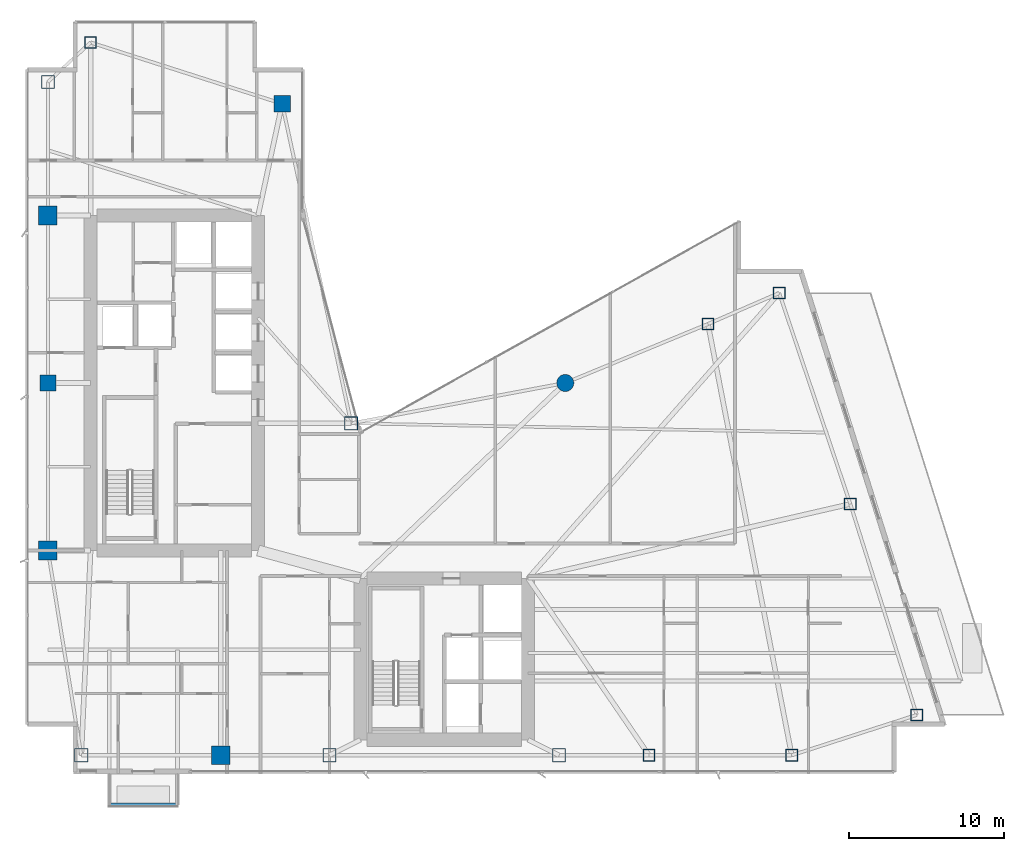
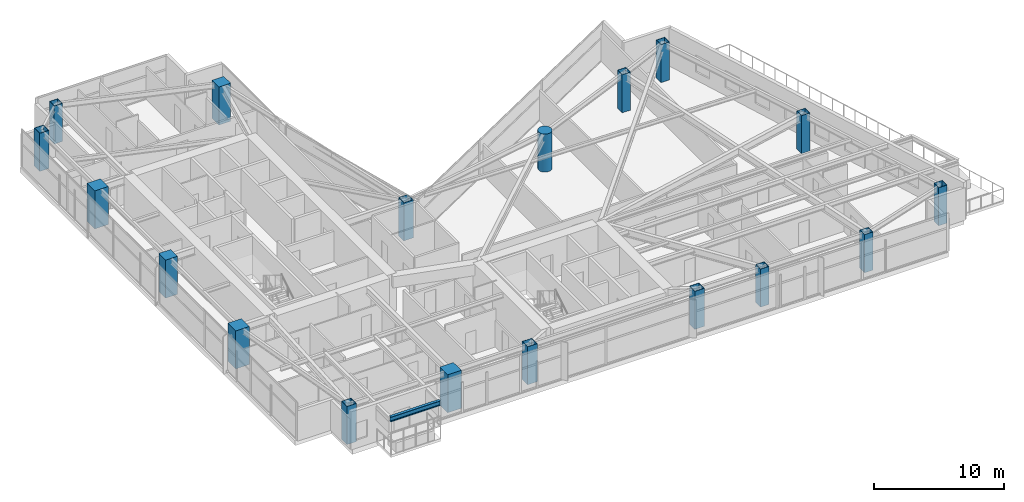
# One storey, part 1 of 28: 18 columns, 1 beam.
"""IFC4 building model written with IfcOpenShell, lengths in metres."""

from ifc_helpers import new_model, si_unit, direction, frame, origin, origin_2d, place, context, subcontext, project, spatial, rectangle, hollow_rectangle, circle, i_section, extrude, material, material_profile, profile_set, type_object, element, save


model = new_model("IFC4")

# Units and contexts
model_context = context("Model", 3, precision=1e-05, world=origin(), true_north=direction((0.0, 1.0)))
body_context = subcontext(model_context, "Body", "Model", "MODEL_VIEW")
ifc_project = project(units=[si_unit("LENGTHUNIT", "METRE"), si_unit("AREAUNIT", "SQUARE_METRE"), si_unit("VOLUMEUNIT", "CUBIC_METRE"), si_unit("PLANEANGLEUNIT", "RADIAN"), si_unit("MASSUNIT", "GRAM", prefix="KILO")], contexts=[model_context])

# Site, building, storey
site_placement = place(None, origin())
site = spatial("IfcSite", under=ifc_project, at=site_placement, CompositionType="ELEMENT")
building_placement = place(site_placement, origin())
building = spatial("IfcBuilding", under=site, at=building_placement, Name="Calvorn Quay Hotel", CompositionType="ELEMENT")
storey_placement = place(building_placement, frame((0.0, 0.0, 97.39990234375)))
storey = spatial("IfcBuildingStorey", under=building, at=storey_placement, Name="L23", CompositionType="ELEMENT", Elevation=97.39990234375)

# Columns
ifc_material_1 = material(Name="Concrete C50", Category="concrete")
ifc_material_profile_1 = material_profile(ifc_material_1, rectangle(XDim=1.050048828125, YDim=1.050048828125, at=origin_2d()), Name="RC1050x1050")
ifc_profile_set_1 = profile_set([ifc_material_profile_1], Name="Concrete C50")
column_type_1 = type_object("IfcColumnType", Name="COL-RC-1050", PredefinedType="COLUMN", material=ifc_profile_set_1)
for number, where, z_axis, x_axis, name in (
    (1, (1.449951171875, 27.60009765625, 0.0), (0.0, 0.0, 1.0), (1.0, 0.0, 0.0), "Column C-W3 (L23)"),
    (2, (16.550048828125, 45.60009765625, 0.0), (0.0, 0.0, 1.0), (1.0, 0.0, 0.0), "Column C-IC1 (L23)"),
):
    element("IfcColumn", number, at=place(storey_placement, frame(where, z_axis=z_axis, x_axis=x_axis)), inside=storey, type_object=column_type_1, Name=name, PredefinedType="COLUMN", context=body_context, shape_type="SweptSolid", body=[
        extrude(rectangle(XDim=1.050048828125, YDim=1.050048828125, at=origin_2d()), origin(), (0.0, 0.0, 1.0), 3.56005859375),
    ])
ifc_material_2 = material(Name="Concrete C50", Category="concrete")
ifc_material_profile_2 = material_profile(ifc_material_2, rectangle(XDim=1.199951171875, YDim=1.199951171875, at=origin_2d()), Name="RC1200x1200")
ifc_profile_set_2 = profile_set([ifc_material_profile_2], Name="Concrete C50")
column_type_2 = type_object("IfcColumnType", Name="COL-RC-1200", PredefinedType="COLUMN", material=ifc_profile_set_2)
for number, where, z_axis, x_axis, name in (
    (3, (1.449951171875, 16.800048828125, 0.0), (0.0, 0.0, 1.0), (1.0, 0.0, 0.0), "Column C-W2 (L23)"),
    (4, (1.449951171875, 38.39990234375, 0.0), (0.0, 0.0, 1.0), (1.0, 0.0, 0.0), "Column C-W4 (L23)"),
    (5, (12.60009765625, 3.60009765625, 0.0), (0.0, 0.0, 1.0), (1.0, 0.0, 0.0), "Column C-S1 (L23)"),
):
    element("IfcColumn", number, at=place(storey_placement, frame(where, z_axis=z_axis, x_axis=x_axis)), inside=storey, type_object=column_type_2, Name=name, PredefinedType="COLUMN", context=body_context, shape_type="SweptSolid", body=[
        extrude(rectangle(XDim=1.199951171875, YDim=1.199951171875, at=origin_2d()), origin(), (0.0, 0.0, 1.0), 3.56005859375),
    ])
ifc_material_3 = material(Name="Concrete C50", Category="concrete")
ifc_material_profile_3 = material_profile(ifc_material_3, circle(Radius=0.550048828125, at=origin_2d()), Name="RCD1100")
ifc_profile_set_3 = profile_set([ifc_material_profile_3], Name="Concrete C50")
column_type_3 = type_object("IfcColumnType", Name="COL-RC-D1100", PredefinedType="COLUMN", material=ifc_profile_set_3)
column_placement = place(storey_placement, frame((34.800048828125, 27.60009765625, 0.0), z_axis=(0.0, 0.0, 1.0), x_axis=(1.0, 0.0, 0.0)))
element("IfcColumn", 6, at=column_placement, inside=storey, type_object=column_type_3, Name="Column C-NC1 (L23)", PredefinedType="COLUMN", context=body_context, shape_type="SweptSolid", body=[
    extrude(circle(Radius=0.550048828125, at=origin_2d()), origin(), (0.0, 0.0, 1.0), 3.56005859375),
])
ifc_material_4 = material(Name="Steel Q390GJC", Category="steel")
ifc_material_profile_4 = material_profile(ifc_material_4, hollow_rectangle(XDim=0.85009765625, YDim=0.85009765625, WallThickness=0.035888671875, at=origin_2d()), Name="BOX850x850x36")
ifc_profile_set_4 = profile_set([ifc_material_profile_4], Name="Steel Q390GJC")
column_type_4 = type_object("IfcColumnType", Name="COL-STL-Z2", PredefinedType="COLUMN", material=ifc_profile_set_4)
for number, where, z_axis, x_axis, name in (
    (7, (3.60009765625, 3.60009765625, 0.0), (0.0, 0.0, 1.0), (1.0, 0.0, 0.0), "Column C-W1 (L23)"),
    (8, (1.449951171875, 47.0, 0.0), (0.0, 0.0, 1.0), (1.0, 0.0, 0.0), "Column C-W5 (L23)"),
    (9, (21.0, 25.0, 0.0), (0.0, 0.0, 1.0), (1.0, 0.0, 0.0), "Column C-IC2 (L23)"),
    (10, (19.60009765625, 3.60009765625, 0.0), (0.0, 0.0, 1.0), (1.0, 0.0, 0.0), "Column C-S2 (L23)"),
    (11, (34.39990234375, 3.60009765625, 0.0), (0.0, 0.0, 1.0), (1.0, 0.0, 0.0), "Column C-S3 (L23)"),
):
    element("IfcColumn", number, at=place(storey_placement, frame(where, z_axis=z_axis, x_axis=x_axis)), inside=storey, type_object=column_type_4, Name=name, PredefinedType="COLUMN", context=body_context, shape_type="SweptSolid", body=[
        extrude(hollow_rectangle(XDim=0.85009765625, YDim=0.85009765625, WallThickness=0.035888671875, at=origin_2d()), origin(), (0.0, 0.0, 1.0), 3.56005859375),
    ])
ifc_material_5 = material(Name="Steel Q390GJC", Category="steel")
ifc_material_profile_5 = material_profile(ifc_material_5, hollow_rectangle(XDim=0.75, YDim=0.75, WallThickness=0.031982421875, at=origin_2d()), Name="BOX750x750x32")
ifc_profile_set_5 = profile_set([ifc_material_profile_5], Name="Steel Q390GJC")
column_type_5 = type_object("IfcColumnType", Name="COL-STL-Z3", PredefinedType="COLUMN", material=ifc_profile_set_5)
for number, where, z_axis, x_axis, name in (
    (12, (4.199951171875, 49.550048828125, 0.0), (0.0, 0.0, 1.0), (1.0, 0.0, 0.0), "Column C-NW1 (L23)"),
    (13, (40.199951171875, 3.60009765625, 0.0), (0.0, 0.0, 1.0), (1.0, 0.0, 0.0), "Column C-S4 (L23)"),
    (14, (49.39990234375, 3.60009765625, 0.0), (0.0, 0.0, 1.0), (1.0, 0.0, 0.0), "Column C-S5 (L23)"),
    (15, (44.0, 31.39990234375, 0.0), (0.0, 0.0, 1.0), (1.0, 0.0, 0.0), "Column C-NC2 (L23)"),
    (16, (57.4609375, 6.199951171875, 0.0), (0.0, 0.0, 1.0), (1.0, 0.0, 0.0), "Column C-ET1 (L23)"),
    (17, (53.176025390625, 19.800048828125, 0.0), (0.0, 0.0, 1.0), (1.0, 0.0, 0.0), "Column C-ET2 (L23)"),
    (18, (48.591064453125, 33.39990234375, 0.0), (0.0, 0.0, 1.0), (1.0, 0.0, 0.0), "Column C-ET3 (L23)"),
):
    element("IfcColumn", number, at=place(storey_placement, frame(where, z_axis=z_axis, x_axis=x_axis)), inside=storey, type_object=column_type_5, Name=name, PredefinedType="COLUMN", context=body_context, shape_type="SweptSolid", body=[
        extrude(hollow_rectangle(XDim=0.75, YDim=0.75, WallThickness=0.031982421875, at=origin_2d()), origin(), (0.0, 0.0, 1.0), 3.56005859375),
    ])

# Beam
ifc_material_6 = material(Name="Steel Q355B", Category="steel")
ifc_material_profile_6 = material_profile(ifc_material_6, i_section(OverallWidth=0.25, OverallDepth=0.449951171875, WebThickness=0.011962890625, FlangeThickness=0.01611328125, FilletRadius=0.01611328125, at=origin_2d()), Name="HN450x250x12x16")
ifc_profile_set_6 = profile_set([ifc_material_profile_6], Name="Steel Q355B")
beam_type = type_object("IfcBeamType", Name="BM-CANT-BALC", PredefinedType="BEAM", material=ifc_profile_set_6)
beam_placement = place(storey_placement, frame((5.39990234375, 0.409912109375, 3.315185546875), z_axis=(1.0, 0.0, 0.0), x_axis=(0.0, 1.0, 0.0)))
element("IfcBeam", 19, at=beam_placement, inside=storey, type_object=beam_type, Name="Beam BCBO-L24-2", PredefinedType="BEAM", context=body_context, shape_type="SweptSolid", body=[
    extrude(i_section(OverallWidth=0.25, OverallDepth=0.449951171875, WebThickness=0.011962890625, FlangeThickness=0.01611328125, FilletRadius=0.01611328125, at=origin_2d()), origin(), (0.0, 0.0, 1.0), 4.400146484375),
])

save(model, "model.ifc")
